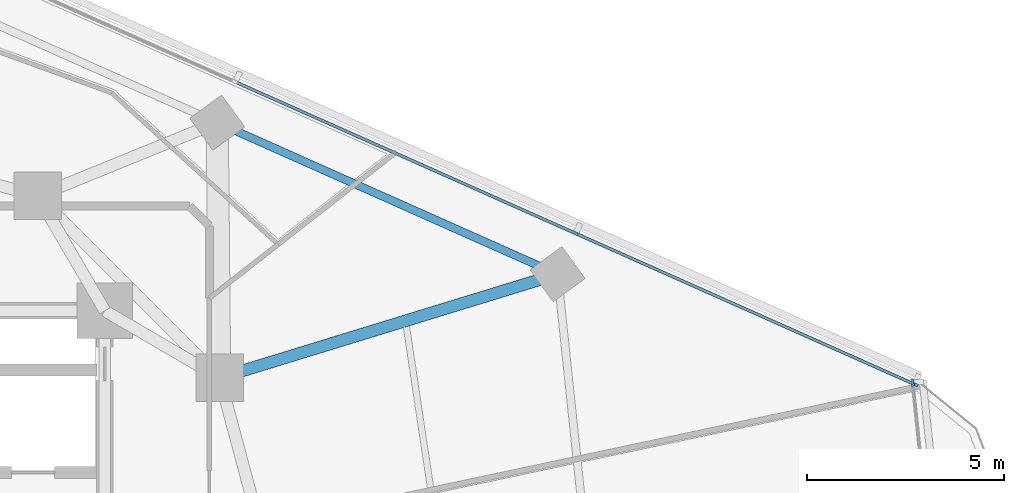
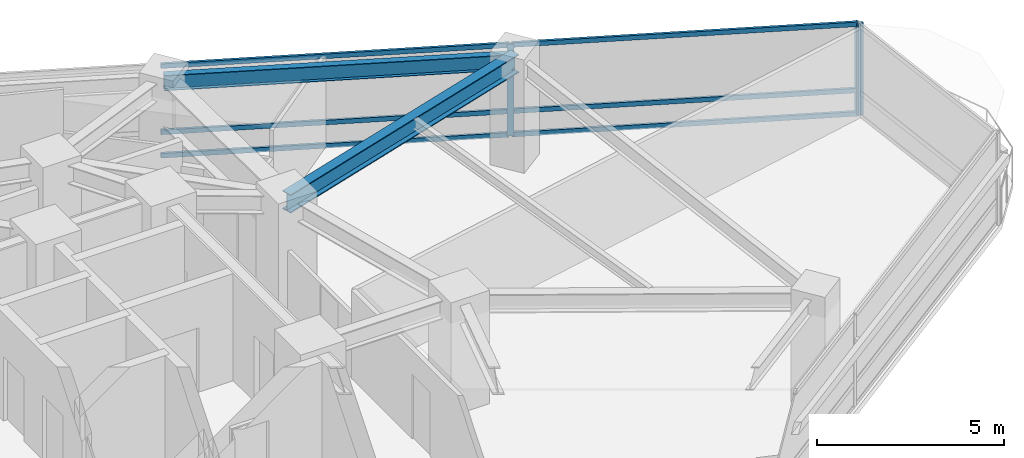
# One storey, part 6 of 14: 9 members, 2 beams, 2 elements without a shape of their own.
"""IFC4 building model written with IfcOpenShell, lengths in metres."""

from ifc_helpers import new_model, si_unit, direction, frame, origin, origin_2d, place, context, subcontext, project, spatial, rectangle, i_section, extrude, material, layer, layer_set, material_profile, profile_set, type_object, element, aggregate, save


model = new_model("IFC4")

# Units and contexts
model_context = context("Model", 3, precision=1e-05, world=origin(), true_north=direction((0.0, 1.0)))
body_context = subcontext(model_context, "Body", "Model", "MODEL_VIEW")
ifc_project = project(units=[si_unit("LENGTHUNIT", "METRE"), si_unit("AREAUNIT", "SQUARE_METRE"), si_unit("VOLUMEUNIT", "CUBIC_METRE"), si_unit("PLANEANGLEUNIT", "RADIAN"), si_unit("MASSUNIT", "GRAM", prefix="KILO")], contexts=[model_context])

# Site, building, storey
site_placement = place(None, origin())
site = spatial("IfcSite", under=ifc_project, at=site_placement, CompositionType="ELEMENT")
building_placement = place(site_placement, origin())
building = spatial("IfcBuilding", under=site, at=building_placement, Name="Terralouvre Media Tower", CompositionType="ELEMENT")
storey_placement = place(building_placement, frame((0.0, 0.0, 173.10009765625)))
storey = spatial("IfcBuildingStorey", under=building, at=storey_placement, Name="L44", CompositionType="ELEMENT", Elevation=173.10009765625)

# Curtain wall, members
ifc_material_1 = material(Name="Low-iron laminated double glazing with solar-control coating", Category="glass")
ifc_layer_1 = layer(ifc_material_1, 0.1650390625, Name="Production Studio Tower Curtain Wall CW-03")
ifc_layer_set_1 = layer_set([ifc_layer_1], Name="Low-iron laminated double glazing with solar-control coating")
curtain_wall_type_1 = type_object("IfcCurtainWallType", Name="Production Studio Tower Curtain Wall CW-03", PredefinedType="NOTDEFINED", material=ifc_layer_set_1)
curtain_wall_1_placement = place(storey_placement, origin())
curtain_wall_1 = element("IfcCurtainWall", 1, at=curtain_wall_1_placement, inside=storey, type_object=curtain_wall_type_1, Name="L44 Facade Curtain Wall F1", PredefinedType="NOTDEFINED")
ifc_material_2 = material(Name="Anodised extruded aluminium 6063-T6", Category="aluminium")
ifc_material_profile_1 = material_profile(ifc_material_2, rectangle(XDim=0.074951171875, YDim=0.14990234375, at=origin_2d()), Name="ALU 75x150")
ifc_profile_set_1 = profile_set([ifc_material_profile_1], Name="Anodised extruded aluminium 6063-T6")
member_type_1 = type_object("IfcMemberType", Name="Curtain-Wall Horizontal Transom TR-150", PredefinedType="USERDEFINED", material=ifc_profile_set_1)
member_1_placement = place(storey_placement, frame((28.4892578125, 6.1494140625, 0.037353515625), z_axis=(-0.913539345669, 0.406750370515, 0.0), x_axis=(-0.406750370515, -0.913539345669, 0.0)))
member_1 = element("IfcMember", 2, at=member_1_placement, type_object=member_type_1, Name="CW-03 transom 1.1", ObjectType="TRANSOM", PredefinedType="USERDEFINED", context=body_context, shape_type="SweptSolid", body=[
    extrude(rectangle(XDim=0.074951171875, YDim=0.14990234375, at=origin_2d()), origin(), (0.0, 0.0, 1.0), 9.327392578125),
])
member_2_placement = place(storey_placement, frame((28.4892578125, 6.1494140625, 0.7998046875), z_axis=(-0.913539345669, 0.406750370515, 0.0), x_axis=(-0.406750370515, -0.913539345669, 0.0)))
member_2 = element("IfcMember", 3, at=member_2_placement, type_object=member_type_1, Name="CW-03 transom 1.2", ObjectType="TRANSOM", PredefinedType="USERDEFINED", context=body_context, shape_type="SweptSolid", body=[
    extrude(rectangle(XDim=0.074951171875, YDim=0.14990234375, at=origin_2d()), origin(), (0.0, 0.0, 1.0), 9.327392578125),
])
member_3_placement = place(storey_placement, frame((28.4892578125, 6.1494140625, 2.96240234375), z_axis=(-0.913539345669, 0.406750370515, 0.0), x_axis=(-0.406750370515, -0.913539345669, 0.0)))
member_3 = element("IfcMember", 4, at=member_3_placement, type_object=member_type_1, Name="CW-03 transom 1.3", ObjectType="TRANSOM", PredefinedType="USERDEFINED", context=body_context, shape_type="SweptSolid", body=[
    extrude(rectangle(XDim=0.074951171875, YDim=0.14990234375, at=origin_2d()), origin(), (0.0, 0.0, 1.0), 9.327392578125),
])
member_4_placement = place(storey_placement, frame((19.899658203125, 9.973876953125, 0.037353515625), z_axis=(-0.913546899195, 0.40673340528, 0.0), x_axis=(-0.40673340528, -0.913546899195, 0.0)))
member_4 = element("IfcMember", 5, at=member_4_placement, type_object=member_type_1, Name="CW-03 transom 2.1", ObjectType="TRANSOM", PredefinedType="USERDEFINED", context=body_context, shape_type="SweptSolid", body=[
    extrude(rectangle(XDim=0.074951171875, YDim=0.14990234375, at=origin_2d()), origin(), (0.0, 0.0, 1.0), 9.364990234375),
])
member_5_placement = place(storey_placement, frame((19.899658203125, 9.973876953125, 0.7998046875), z_axis=(-0.913546899195, 0.40673340528, 0.0), x_axis=(-0.40673340528, -0.913546899195, 0.0)))
member_5 = element("IfcMember", 6, at=member_5_placement, type_object=member_type_1, Name="CW-03 transom 2.2", ObjectType="TRANSOM", PredefinedType="USERDEFINED", context=body_context, shape_type="SweptSolid", body=[
    extrude(rectangle(XDim=0.074951171875, YDim=0.14990234375, at=origin_2d()), origin(), (0.0, 0.0, 1.0), 9.364990234375),
])
member_6_placement = place(storey_placement, frame((19.899658203125, 9.973876953125, 2.96240234375), z_axis=(-0.913546899195, 0.40673340528, 0.0), x_axis=(-0.40673340528, -0.913546899195, 0.0)))
member_6 = element("IfcMember", 7, at=member_6_placement, type_object=member_type_1, Name="CW-03 transom 2.3", ObjectType="TRANSOM", PredefinedType="USERDEFINED", context=body_context, shape_type="SweptSolid", body=[
    extrude(rectangle(XDim=0.074951171875, YDim=0.14990234375, at=origin_2d()), origin(), (0.0, 0.0, 1.0), 9.364990234375),
])
ifc_material_3 = material(Name="Anodised extruded aluminium 6063-T6", Category="aluminium")
ifc_material_profile_2 = material_profile(ifc_material_3, rectangle(XDim=0.074951171875, YDim=0.179931640625, at=origin_2d()), Name="ALU 75x180")
ifc_profile_set_2 = profile_set([ifc_material_profile_2], Name="Anodised extruded aluminium 6063-T6")
member_type_2 = type_object("IfcMemberType", Name="Curtain-Wall Vertical Mullion ML-180", PredefinedType="MULLION", material=ifc_profile_set_2)
member_7_placement = place(storey_placement, frame((28.5234375, 6.13427734375, 0.0), z_axis=(0.0, 0.0, 1.0), x_axis=(-0.406736616337, -0.913545469547, 0.0)))
member_7 = element("IfcMember", 8, at=member_7_placement, type_object=member_type_2, Name="CW-03 mullion 1", PredefinedType="MULLION", context=body_context, shape_type="SweptSolid", body=[
    extrude(rectangle(XDim=0.074951171875, YDim=0.179931640625, at=origin_2d()), origin(), (0.0, 0.0, 1.0), 3.0),
])
member_8_placement = place(storey_placement, frame((19.933837890625, 9.95849609375, 0.0), z_axis=(0.0, 0.0, 1.0), x_axis=(-0.406736616337, -0.913545469547, 0.0)))
member_8 = element("IfcMember", 9, at=member_8_placement, type_object=member_type_2, Name="CW-03 mullion 2", PredefinedType="MULLION", context=body_context, shape_type="SweptSolid", body=[
    extrude(rectangle(XDim=0.074951171875, YDim=0.179931640625, at=origin_2d()), origin(), (0.0, 0.0, 1.0), 3.0),
])
aggregate(curtain_wall_1, [member_7, member_8, member_1, member_2, member_3, member_4, member_5, member_6])

# Curtain wall, member
ifc_material_4 = material(Name="Low-iron laminated double glazing with solar-control coating", Category="glass")
ifc_layer_2 = layer(ifc_material_4, 0.1650390625, Name="Rounded Wind-Corner Curved Glazing CW-04")
ifc_layer_set_2 = layer_set([ifc_layer_2], Name="Low-iron laminated double glazing with solar-control coating")
curtain_wall_type_2 = type_object("IfcCurtainWallType", Name="Rounded Wind-Corner Curved Glazing CW-04", PredefinedType="NOTDEFINED", material=ifc_layer_set_2)
curtain_wall_2_placement = place(storey_placement, origin())
curtain_wall_2 = element("IfcCurtainWall", 10, at=curtain_wall_2_placement, inside=storey, type_object=curtain_wall_type_2, Name="L44 Rounded Wind-Corner Curtain Wall C1", PredefinedType="NOTDEFINED")
member_9_placement = place(storey_placement, frame((28.47119140625, 6.1767578125, 0.0), z_axis=(0.0, 0.0, 1.0), x_axis=(-0.994521891172, -0.10452850319, 0.0)))
member_9 = element("IfcMember", 11, at=member_9_placement, type_object=member_type_2, Name="CW-04 mullion 2", PredefinedType="MULLION", context=body_context, shape_type="SweptSolid", body=[
    extrude(rectangle(XDim=0.074951171875, YDim=0.179931640625, at=origin_2d()), origin(), (0.0, 0.0, 1.0), 3.0),
])
aggregate(curtain_wall_2, [member_9])

# Beams
ifc_material_5 = material(Name="Structural steel S355J2", Category="steel")
ifc_material_profile_3 = material_profile(ifc_material_5, i_section(OverallWidth=0.199951171875, OverallDepth=0.5, WebThickness=0.01025390625, FlangeThickness=0.01611328125, at=origin_2d()), Name="IPE 500")
ifc_profile_set_3 = profile_set([ifc_material_profile_3], Name="Structural steel S355J2")
beam_type_1 = type_object("IfcBeamType", Name="Perimeter Spandrel Beam SPB-500 (IPE 500)", PredefinedType="SPANDREL", material=ifc_profile_set_3)
beam_1_placement = place(storey_placement, frame((19.474365234375, 8.92626953125, 3.239990234375), z_axis=(-0.913547937667, 0.406731072803, 0.0), x_axis=(-0.406731072803, -0.913547937667, 0.0)))
element("IfcBeam", 12, at=beam_1_placement, inside=storey, type_object=beam_type_1, Name="L44 Framing Beam BM-L44-PR07", PredefinedType="SPANDREL", context=body_context, shape_type="SweptSolid", body=[
    extrude(i_section(OverallWidth=0.199951171875, OverallDepth=0.5, WebThickness=0.01025390625, FlangeThickness=0.01611328125, at=origin_2d()), origin(), (0.0, 0.0, 1.0), 9.440185546875),
])
ifc_material_6 = material(Name="Structural steel S460M", Category="steel")
ifc_material_profile_4 = material_profile(ifc_material_6, i_section(OverallWidth=0.300048828125, OverallDepth=0.60009765625, WebThickness=0.015380859375, FlangeThickness=0.030029296875, at=origin_2d()), Name="HEB 600")
ifc_profile_set_4 = profile_set([ifc_material_profile_4], Name="Structural steel S460M")
beam_type_2 = type_object("IfcBeamType", Name="Primary Floor Girder B-HEB600 (HEB 600)", PredefinedType="BEAM", material=ifc_profile_set_4)
beam_2_placement = place(storey_placement, frame((10.911865234375, 6.300048828125, 3.199951171875), z_axis=(0.956042083717, 0.293229490606, 0.0), x_axis=(-0.293229490606, 0.956042083717, 0.0)))
element("IfcBeam", 13, at=beam_2_placement, inside=storey, type_object=beam_type_2, Name="L44 Framing Beam BM-L44-RD07", PredefinedType="BEAM", context=body_context, shape_type="SweptSolid", body=[
    extrude(i_section(OverallWidth=0.300048828125, OverallDepth=0.60009765625, WebThickness=0.015380859375, FlangeThickness=0.030029296875, at=origin_2d()), origin(), (0.0, 0.0, 1.0), 8.956298828125),
])

save(model, "model.ifc")
